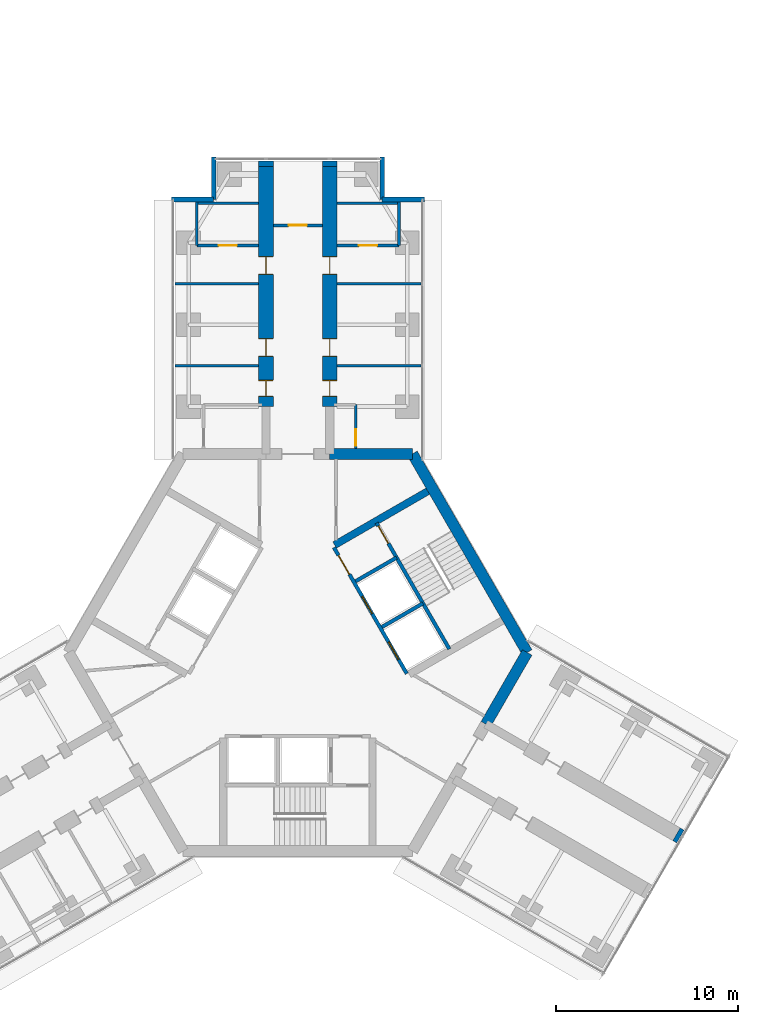
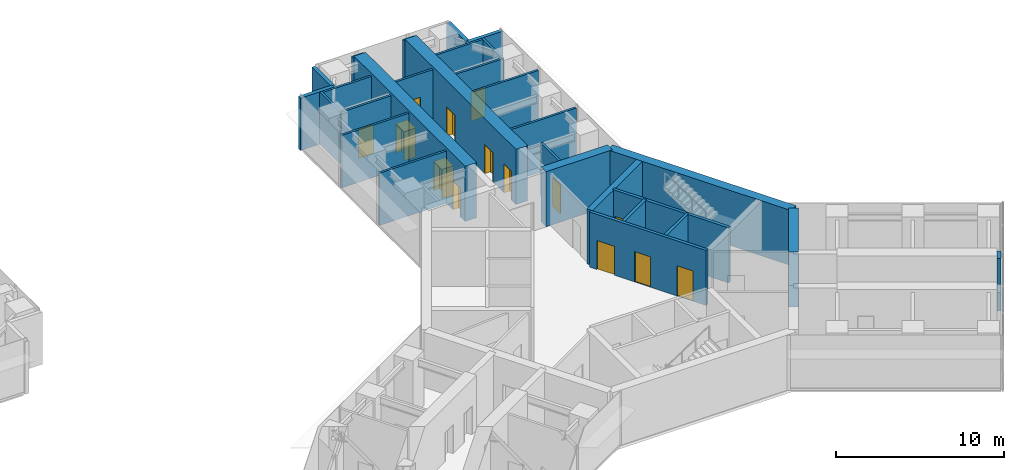
# One storey, part 20 of 22: 29 walls, 14 doors, 14 openings.
"""IFC4 building model written with IfcOpenShell, lengths in metres."""

import ifcopenshell
import ifcopenshell.guid

model = None  # the IFC model being written
_history = None  # IfcOwnerHistory: only IFC2X3 demands one
_inside = {}  # id of a spatial element -> (the spatial element, [elements in it])
_under = {}  # id of a project, library or spatial element -> (it, [spatial elements below it])
_declared = {}  # id of a project -> (the project, [libraries it declares])
_typed = {}  # id of a type object -> (the type object, [elements of that type])
_made_of = {}  # id of a material, layer set ... -> (it, [elements and type objects made of it])


def new_model(schema):
    """Start an empty IFC model of exactly this schema.

    Asked for "IFC4X3", IfcOpenShell would pick the latest addendum, in which some entities
    have other attributes; the version numbers below select the first issue.
    IFC2X3 requires an IfcOwnerHistory on every rooted entity: one is made here for all.
    """
    global model, _history
    if schema == "IFC4X3":
        model = ifcopenshell.file(schema_version=(4, 3, 0, 0))
    else:
        model = ifcopenshell.file(schema=schema)
    _inside.clear()
    _under.clear()
    _declared.clear()
    _typed.clear()
    _made_of.clear()
    _history = None
    if model.schema == "IFC2X3":
        org = make("IfcOrganization", Name="unknown")
        user = make(
            "IfcPersonAndOrganization",
            ThePerson=make("IfcPerson", FamilyName="unknown"),
            TheOrganization=org,
        )
        app = make(
            "IfcApplication",
            ApplicationDeveloper=org,
            Version="unknown",
            ApplicationFullName="unknown",
            ApplicationIdentifier="unknown",
        )
        _history = make(
            "IfcOwnerHistory",
            OwningUser=user,
            OwningApplication=app,
            ChangeAction="ADDED",
            CreationDate=0,
        )
    return model


def make(cls, **values):
    """One entity of the class cls with the attributes given. An attribute that is None is left unset."""
    return model.create_entity(
        cls, **{name: value for name, value in values.items() if value is not None}
    )


def rooted(cls, **values):
    """An entity with a GlobalId (a new one), such as an element, a storey or a relation."""
    return make(cls, GlobalId=ifcopenshell.guid.new(), OwnerHistory=_history, **values)


def si_unit(unit_type, name, prefix=None):
    """IfcSIUnit, for example si_unit("LENGTHUNIT", "METRE", prefix="MILLI")."""
    return make("IfcSIUnit", UnitType=unit_type, Prefix=prefix, Name=name)


def assignment(units):
    """IfcUnitAssignment: the units of a project."""
    return None if units is None else make("IfcUnitAssignment", Units=units)


def point(xyz):
    """IfcCartesianPoint."""
    return None if xyz is None else make("IfcCartesianPoint", Coordinates=xyz)


def direction(xyz):
    """IfcDirection."""
    return None if xyz is None else make("IfcDirection", DirectionRatios=xyz)


def frame(location, z_axis=None, x_axis=None):
    """IfcAxis2Placement3D, a coordinate frame: its origin and axes. An axis left out is left unset."""
    return make(
        "IfcAxis2Placement3D",
        Location=point(location),
        Axis=direction(z_axis),
        RefDirection=direction(x_axis),
    )


def frame_2d(location, x_axis=None):
    """IfcAxis2Placement2D, a coordinate frame in the plane: its origin and x axis."""
    return make(
        "IfcAxis2Placement2D", Location=point(location), RefDirection=direction(x_axis)
    )


def origin():
    """The frame at (0, 0, 0) with its axes left unset."""
    return frame((0.0, 0.0, 0.0))


def place(relative_to, where):
    """IfcLocalPlacement: puts the frame where relative to a parent placement (None: the world)."""
    return make(
        "IfcLocalPlacement", PlacementRelTo=relative_to, RelativePlacement=where
    )


def context(
    kind, dimensions, precision=None, world=None, true_north=None, identifier=None
):
    """IfcGeometricRepresentationContext, for example the 3D "Model" context."""
    return make(
        "IfcGeometricRepresentationContext",
        ContextIdentifier=identifier,
        ContextType=kind,
        CoordinateSpaceDimension=dimensions,
        Precision=precision,
        WorldCoordinateSystem=world,
        TrueNorth=true_north,
    )


def subcontext(parent, identifier, kind, view, scale=None):
    """IfcGeometricRepresentationSubContext, for example "Body" below "Model"."""
    return make(
        "IfcGeometricRepresentationSubContext",
        ContextIdentifier=identifier,
        ContextType=kind,
        ParentContext=parent,
        TargetScale=scale,
        TargetView=view,
    )


def project(units=None, contexts=None):
    """IfcProject with its units and contexts."""
    return rooted(
        "IfcProject",
        Name="project",
        RepresentationContexts=contexts,
        UnitsInContext=assignment(units),
    )


def spatial(cls, under=None, at=None, **own):
    """A site, building, storey or space (cls), placed at a placement, below another one or the project."""
    s = rooted(cls, ObjectPlacement=at, **own)
    if under is not None:
        _under.setdefault(under.id(), (under, []))[1].append(s)
    return s


def profile(cls, at=None, kind="AREA", **sizes):
    """A parametric profile (cls). Its sizes go by their IFC names, for example OverallWidth=200.0."""
    return make(cls, ProfileType=kind, Position=at, **sizes)


def rectangle(**sizes):
    """IfcRectangleProfileDef."""
    return profile("IfcRectangleProfileDef", **sizes)


def extrude(swept, where, along, depth):
    """IfcExtrudedAreaSolid: the profile swept, set in the frame where, extruded along a direction by depth."""
    return make(
        "IfcExtrudedAreaSolid",
        SweptArea=swept,
        Position=where,
        ExtrudedDirection=direction(along),
        Depth=depth,
    )


def shape(context_of_items, identifier, shape_type, items):
    """IfcShapeRepresentation: the items that make up one representation, for example the "Body"."""
    return make(
        "IfcShapeRepresentation",
        ContextOfItems=context_of_items,
        RepresentationIdentifier=identifier,
        RepresentationType=shape_type,
        Items=items,
    )


def material(Name=None, Category=None):
    """IfcMaterial."""
    return make("IfcMaterial", Name=Name, Category=Category)


def layer(
    of_material, thickness, ventilated=None, Name=None, Category=None, Priority=None
):
    """IfcMaterialLayer: one layer of a wall or slab, of a material (None: an air gap)."""
    return make(
        "IfcMaterialLayer",
        Material=of_material,
        LayerThickness=thickness,
        IsVentilated=ventilated,
        Name=Name,
        Category=Category,
        Priority=Priority,
    )


def layer_set(layers, Name=None):
    """IfcMaterialLayerSet."""
    return make("IfcMaterialLayerSet", MaterialLayers=layers, LayerSetName=Name)


def made_of(thing, what):
    """Note that an element or type object is made of a material, layer set ...; save() writes the relation."""
    if what is not None:
        _made_of.setdefault(what.id(), (what, []))[1].append(thing)
    return thing


def type_object(cls, material=None, **own):
    """A type object (cls), such as IfcWallType, which elements share."""
    return made_of(rooted(cls, **own), material)


def element(
    cls,
    number,
    at=None,
    inside=None,
    cuts=None,
    type_object=None,
    material=None,
    context=None,
    identifier="Body",
    shape_type=None,
    held_by="IfcProductDefinitionShape",
    body=None,
    shapes=None,
    **own,
):
    """One element of the class cls, such as IfcWall. Its Tag is "e" and its number.

    at: its placement. inside: the storey or other place that contains it. cuts: it is an
    opening in that element (IfcRelVoidsElement). A single representation is given by context,
    identifier, shape_type and body (its items); several are given by shapes. held_by: the class
    of the entity that holds the representations. save() writes the other relations.
    """
    e = rooted(cls, Tag="e%d" % number, ObjectPlacement=at, **own)
    if body is not None:
        shapes = [shape(context, identifier, shape_type, body)]
    if shapes is not None:
        e.Representation = make(held_by, Representations=shapes)
    if inside is not None:
        _inside.setdefault(inside.id(), (inside, []))[1].append(e)
    if cuts is not None:
        rooted(
            "IfcRelVoidsElement", RelatingBuildingElement=cuts, RelatedOpeningElement=e
        )
    if type_object is not None:
        _typed.setdefault(type_object.id(), (type_object, []))[1].append(e)
    return made_of(e, material)


def fill(opening, filler):
    """IfcRelFillsElement: the door or window that sits in an opening."""
    return rooted(
        "IfcRelFillsElement",
        RelatingOpeningElement=opening,
        RelatedBuildingElement=filler,
    )


def aggregate(whole, parts):
    """IfcRelAggregates: a whole, such as a stair, and the parts it consists of."""
    return rooted("IfcRelAggregates", RelatingObject=whole, RelatedObjects=parts)


def save(model, path):
    """Write the relations noted so far, then the file.

    IfcRelAggregates (storeys below a building ...), IfcRelContainedInSpatialStructure (elements
    in a storey), IfcRelDefinesByType, IfcRelAssociatesMaterial and IfcRelDeclares: one each for
    every whole, place, type object, material and project.
    """
    for whole, parts in _under.values():
        aggregate(whole, parts)
    for where, things in _inside.values():
        rooted(
            "IfcRelContainedInSpatialStructure",
            RelatedElements=things,
            RelatingStructure=where,
        )
    for kind, things in _typed.values():
        rooted("IfcRelDefinesByType", RelatedObjects=things, RelatingType=kind)
    for what, things in _made_of.values():
        rooted("IfcRelAssociatesMaterial", RelatedObjects=things, RelatingMaterial=what)
    for by, libraries in _declared.values():
        rooted("IfcRelDeclares", RelatingContext=by, RelatedDefinitions=libraries)
    model.write(path)


model = new_model("IFC4")

# Units and contexts
model_context = context("Model", 3, precision=1e-05, world=origin(), true_north=direction((0.0, 1.0)))
body_context = subcontext(model_context, "Body", "Model", "MODEL_VIEW")
ifc_project = project(units=[si_unit("LENGTHUNIT", "METRE"), si_unit("AREAUNIT", "SQUARE_METRE"), si_unit("VOLUMEUNIT", "CUBIC_METRE"), si_unit("PLANEANGLEUNIT", "RADIAN"), si_unit("MASSUNIT", "GRAM", prefix="KILO")], contexts=[model_context])

# Site, building, storey
site_placement = place(None, origin())
site = spatial("IfcSite", under=ifc_project, at=site_placement, CompositionType="ELEMENT")
building_placement = place(site_placement, origin())
building = spatial("IfcBuilding", under=site, at=building_placement, Name="Upepo Twin Towers", CompositionType="ELEMENT")
storey_placement = place(building_placement, frame((0.0, 0.0, 133.5)))
storey = spatial("IfcBuildingStorey", under=building, at=storey_placement, Name="L32", CompositionType="ELEMENT", Elevation=133.5)

# Walls
ifc_material_1 = material(Name="Dense concrete blockwork", Category="masonry")
ifc_layer_1 = layer(ifc_material_1, 0.800048828125)
ifc_layer_set_1 = layer_set([ifc_layer_1], Name="Buttress closer 800, blockwork with fire-stopping to the curtain wall")
wall_type_1 = type_object("IfcWallType", Name="Buttress closer 800, blockwork with fire-stopping to the curtain wall", PredefinedType="PARTITIONING", material=ifc_layer_set_1)
for number, where, z_axis, x_axis, name in (
    (1, (56.75, 8.699951171875, 0.0), (0.0, 0.0, 1.0), (0.0, 1.0, 0.0), "T2 L32 wing A buttress closer L"),
    (2, (60.25, 8.699951171875, 0.0), (0.0, 0.0, 1.0), (0.0, 1.0, 0.0), "T2 L32 wing A buttress closer R"),
):
    element("IfcWall", number, at=place(storey_placement, frame(where, z_axis=z_axis, x_axis=x_axis)), inside=storey, type_object=wall_type_1, Name=name, PredefinedType="PARTITIONING", context=body_context, shape_type="SweptSolid", body=[
        extrude(rectangle(XDim=0.300048828125, YDim=0.800048828125, at=frame_2d((0.14990234375, 0.0))), origin(), (0.0, 0.0, 1.0), 3.800048828125),
    ])
wall_1_placement = place(storey_placement, frame((79.293701171875, -27.984375, 0.0), z_axis=(0.0, 0.0, 1.0), x_axis=(0.865827443207, -0.500342721131, 0.0)))
element("IfcWall", 3, at=wall_1_placement, inside=storey, type_object=wall_type_1, Name="T2 L32 wing C buttress closer L", PredefinedType="PARTITIONING", context=body_context, shape_type="SweptSolid", body=[
    extrude(rectangle(XDim=0.249755859375, YDim=0.800048828125, at=frame_2d((0.125, 0.0))), origin(), (0.0, 0.0, 1.0), 3.800048828125),
])

# Wall, openings, doors
ifc_material_2 = material(Name="Concrete C60/75", Category="concrete")
ifc_layer_2 = layer(ifc_material_2, 0.800048828125)
ifc_layer_set_2 = layer_set([ifc_layer_2], Name="Concrete C60/75")
wall_type_2 = type_object("IfcWallType", Name="Buttress wall 800 RC", PredefinedType="SHEAR", material=ifc_layer_set_2)
wall_2_placement = place(storey_placement, frame((56.75, -4.5, 0.0), z_axis=(0.0, 0.0, 1.0), x_axis=(0.0, 1.0, 0.0)))
wall_2 = element("IfcWall", 4, at=wall_2_placement, inside=storey, type_object=wall_type_2, Name="T2 wing A buttress wall L part 2", PredefinedType="SHEAR", context=body_context, shape_type="SweptSolid", body=[
    extrude(rectangle(XDim=13.199951171875, YDim=0.800048828125, at=frame_2d((6.60009765625, 0.0))), origin(), (0.0, 0.0, 1.0), 4.0),
])
opening_1_placement = place(wall_2_placement, frame((0.550048828125, 0.0, 0.0)))
opening_1 = element("IfcOpeningElement", 5, at=opening_1_placement, cuts=wall_2, Name="Opening D11", PredefinedType="OPENING", context=body_context, shape_type="SweptSolid", body=[
    extrude(rectangle(XDim=0.89990234375, YDim=2.10009765625, at=frame_2d((0.449951171875, 1.050048828125))), frame((0.0, 0.409912109375, 0.0), z_axis=(0.0, -1.0, 0.0), x_axis=(1.0, 0.0, 0.0)), (0.0, 0.0, 1.0), 0.820068359375),
])
opening_2_placement = place(wall_2_placement, frame((2.75, 0.0, 0.0)))
opening_2 = element("IfcOpeningElement", 6, at=opening_2_placement, cuts=wall_2, Name="Opening D1", PredefinedType="OPENING", context=body_context, shape_type="SweptSolid", body=[
    extrude(rectangle(XDim=1.0, YDim=2.10009765625, at=frame_2d((0.5, 1.050048828125))), frame((0.0, 0.409912109375, 0.0), z_axis=(0.0, -1.0, 0.0), x_axis=(1.0, 0.0, 0.0)), (0.0, 0.0, 1.0), 0.820068359375),
])
opening_3_placement = place(wall_2_placement, frame((7.25, 0.0, 0.0)))
opening_3 = element("IfcOpeningElement", 7, at=opening_3_placement, cuts=wall_2, Name="Opening D1", PredefinedType="OPENING", context=body_context, shape_type="SweptSolid", body=[
    extrude(rectangle(XDim=1.0, YDim=2.10009765625, at=frame_2d((0.5, 1.050048828125))), frame((0.0, 0.409912109375, 0.0), z_axis=(0.0, -1.0, 0.0), x_axis=(1.0, 0.0, 0.0)), (0.0, 0.0, 1.0), 0.820068359375),
])
ifc_material_3 = material(Name="Timber doorset", Category="wood")
door_type_1 = type_object("IfcDoorType", Name="Room door 1000 FD30", OperationType="SINGLE_SWING_LEFT", PredefinedType="DOOR", material=ifc_material_3)
door_1_placement = place(opening_2_placement, origin())
door_1 = element("IfcDoor", 8, at=door_1_placement, inside=storey, type_object=door_type_1, Name="T2 L32 tutorial room door", OperationType="SINGLE_SWING_LEFT", OverallHeight=2.10009765625, OverallWidth=1.0, PredefinedType="DOOR", context=body_context, shape_type="SweptSolid", body=[
    extrude(rectangle(XDim=0.92, YDim=2.06009765625, at=frame_2d((0.5, 1.030029296875))), frame((0.0, 0.02490234375, 0.0), z_axis=(0.0, -1.0, 0.0), x_axis=(1.0, 0.0, 0.0)), (0.0, 0.0, 1.0), 0.050048828125),
    extrude(rectangle(XDim=0.04, YDim=2.10009765625, at=frame_2d((0.02001953125, 1.050048828125))), frame((0.0, 0.39990234375, 0.0), z_axis=(0.0, -1.0, 0.0), x_axis=(1.0, 0.0, 0.0)), (0.0, 0.0, 1.0), 0.799560546875),
    extrude(rectangle(XDim=0.04, YDim=2.10009765625, at=frame_2d((0.97998046875, 1.050048828125))), frame((0.0, 0.39990234375, 0.0), z_axis=(0.0, -1.0, 0.0), x_axis=(1.0, 0.0, 0.0)), (0.0, 0.0, 1.0), 0.799560546875),
    extrude(rectangle(XDim=0.92, YDim=0.04, at=frame_2d((0.5, 2.080078125))), frame((0.0, 0.39990234375, 0.0), z_axis=(0.0, -1.0, 0.0), x_axis=(1.0, 0.0, 0.0)), (0.0, 0.0, 1.0), 0.799560546875),
])
fill(opening_2, door_1)
door_2_placement = place(opening_3_placement, origin())
door_2 = element("IfcDoor", 9, at=door_2_placement, inside=storey, type_object=door_type_1, Name="T2 L32 staff office door", OperationType="SINGLE_SWING_RIGHT", OverallHeight=2.10009765625, OverallWidth=1.0, PredefinedType="DOOR", context=body_context, shape_type="SweptSolid", body=[
    extrude(rectangle(XDim=0.92, YDim=2.06009765625, at=frame_2d((0.5, 1.030029296875))), frame((0.0, 0.02490234375, 0.0), z_axis=(0.0, -1.0, 0.0), x_axis=(1.0, 0.0, 0.0)), (0.0, 0.0, 1.0), 0.050048828125),
    extrude(rectangle(XDim=0.04, YDim=2.10009765625, at=frame_2d((0.02001953125, 1.050048828125))), frame((0.0, 0.39990234375, 0.0), z_axis=(0.0, -1.0, 0.0), x_axis=(1.0, 0.0, 0.0)), (0.0, 0.0, 1.0), 0.799560546875),
    extrude(rectangle(XDim=0.04, YDim=2.10009765625, at=frame_2d((0.97998046875, 1.050048828125))), frame((0.0, 0.39990234375, 0.0), z_axis=(0.0, -1.0, 0.0), x_axis=(1.0, 0.0, 0.0)), (0.0, 0.0, 1.0), 0.799560546875),
    extrude(rectangle(XDim=0.92, YDim=0.04, at=frame_2d((0.5, 2.080078125))), frame((0.0, 0.39990234375, 0.0), z_axis=(0.0, -1.0, 0.0), x_axis=(1.0, 0.0, 0.0)), (0.0, 0.0, 1.0), 0.799560546875),
])
fill(opening_3, door_2)
ifc_material_4 = material(Name="Timber doorset", Category="wood")
door_type_2 = type_object("IfcDoorType", Name="Toilet door 900", OperationType="SINGLE_SWING_LEFT", PredefinedType="DOOR", material=ifc_material_4)
door_3_placement = place(opening_1_placement, origin())
door_3 = element("IfcDoor", 10, at=door_3_placement, inside=storey, type_object=door_type_2, Name="T2 L32 accessible wc door", OperationType="SINGLE_SWING_LEFT", OverallHeight=2.10009765625, OverallWidth=0.89990234375, PredefinedType="DOOR", context=body_context, shape_type="SweptSolid", body=[
    extrude(rectangle(XDim=0.81990234375, YDim=2.06009765625, at=frame_2d((0.449951171875, 1.030029296875))), frame((0.0, 0.02490234375, 0.0), z_axis=(0.0, -1.0, 0.0), x_axis=(1.0, 0.0, 0.0)), (0.0, 0.0, 1.0), 0.050048828125),
    extrude(rectangle(XDim=0.04, YDim=2.10009765625, at=frame_2d((0.02001953125, 1.050048828125))), frame((0.0, 0.39990234375, 0.0), z_axis=(0.0, -1.0, 0.0), x_axis=(1.0, 0.0, 0.0)), (0.0, 0.0, 1.0), 0.799560546875),
    extrude(rectangle(XDim=0.04, YDim=2.10009765625, at=frame_2d((0.8798828125, 1.050048828125))), frame((0.0, 0.39990234375, 0.0), z_axis=(0.0, -1.0, 0.0), x_axis=(1.0, 0.0, 0.0)), (0.0, 0.0, 1.0), 0.799560546875),
    extrude(rectangle(XDim=0.81990234375, YDim=0.04, at=frame_2d((0.449951171875, 2.080078125))), frame((0.0, 0.39990234375, 0.0), z_axis=(0.0, -1.0, 0.0), x_axis=(1.0, 0.0, 0.0)), (0.0, 0.0, 1.0), 0.799560546875),
])
fill(opening_1, door_3)

wall_3_placement = place(storey_placement, frame((60.25, -4.5, 0.0), z_axis=(0.0, 0.0, 1.0), x_axis=(0.0, 1.0, 0.0)))
wall_3 = element("IfcWall", 11, at=wall_3_placement, inside=storey, type_object=wall_type_2, Name="T2 wing A buttress wall R part 2", PredefinedType="SHEAR", context=body_context, shape_type="SweptSolid", body=[
    extrude(rectangle(XDim=13.199951171875, YDim=0.800048828125, at=frame_2d((6.60009765625, 0.0))), origin(), (0.0, 0.0, 1.0), 4.0),
])
opening_4_placement = place(wall_3_placement, frame((0.550048828125, 0.0, 0.0)))
opening_4 = element("IfcOpeningElement", 12, at=opening_4_placement, cuts=wall_3, Name="Opening D11", PredefinedType="OPENING", context=body_context, shape_type="SweptSolid", body=[
    extrude(rectangle(XDim=0.89990234375, YDim=2.10009765625, at=frame_2d((0.449951171875, 1.050048828125))), frame((0.0, 0.409912109375, 0.0), z_axis=(0.0, -1.0, 0.0), x_axis=(1.0, 0.0, 0.0)), (0.0, 0.0, 1.0), 0.820068359375),
])
opening_5_placement = place(wall_3_placement, frame((2.75, 0.0, 0.0)))
opening_5 = element("IfcOpeningElement", 13, at=opening_5_placement, cuts=wall_3, Name="Opening D1", PredefinedType="OPENING", context=body_context, shape_type="SweptSolid", body=[
    extrude(rectangle(XDim=1.0, YDim=2.10009765625, at=frame_2d((0.5, 1.050048828125))), frame((0.0, 0.409912109375, 0.0), z_axis=(0.0, -1.0, 0.0), x_axis=(1.0, 0.0, 0.0)), (0.0, 0.0, 1.0), 0.820068359375),
])
opening_6_placement = place(wall_3_placement, frame((7.25, 0.0, 0.0)))
opening_6 = element("IfcOpeningElement", 14, at=opening_6_placement, cuts=wall_3, Name="Opening D1", PredefinedType="OPENING", context=body_context, shape_type="SweptSolid", body=[
    extrude(rectangle(XDim=1.0, YDim=2.10009765625, at=frame_2d((0.5, 1.050048828125))), frame((0.0, 0.409912109375, 0.0), z_axis=(0.0, -1.0, 0.0), x_axis=(1.0, 0.0, 0.0)), (0.0, 0.0, 1.0), 0.820068359375),
])
door_4_placement = place(opening_5_placement, origin())
door_4 = element("IfcDoor", 15, at=door_4_placement, inside=storey, type_object=door_type_1, Name="T2 L32 seminar room door", OperationType="SINGLE_SWING_LEFT", OverallHeight=2.10009765625, OverallWidth=1.0, PredefinedType="DOOR", context=body_context, shape_type="SweptSolid", body=[
    extrude(rectangle(XDim=0.92, YDim=2.06009765625, at=frame_2d((0.5, 1.030029296875))), frame((0.0, 0.02490234375, 0.0), z_axis=(0.0, -1.0, 0.0), x_axis=(1.0, 0.0, 0.0)), (0.0, 0.0, 1.0), 0.050048828125),
    extrude(rectangle(XDim=0.04, YDim=2.10009765625, at=frame_2d((0.02001953125, 1.050048828125))), frame((0.0, 0.39990234375, 0.0), z_axis=(0.0, -1.0, 0.0), x_axis=(1.0, 0.0, 0.0)), (0.0, 0.0, 1.0), 0.799560546875),
    extrude(rectangle(XDim=0.04, YDim=2.10009765625, at=frame_2d((0.97998046875, 1.050048828125))), frame((0.0, 0.39990234375, 0.0), z_axis=(0.0, -1.0, 0.0), x_axis=(1.0, 0.0, 0.0)), (0.0, 0.0, 1.0), 0.799560546875),
    extrude(rectangle(XDim=0.92, YDim=0.04, at=frame_2d((0.5, 2.080078125))), frame((0.0, 0.39990234375, 0.0), z_axis=(0.0, -1.0, 0.0), x_axis=(1.0, 0.0, 0.0)), (0.0, 0.0, 1.0), 0.799560546875),
])
fill(opening_5, door_4)
door_5_placement = place(opening_6_placement, origin())
door_5 = element("IfcDoor", 16, at=door_5_placement, inside=storey, type_object=door_type_1, Name="T2 L32 tutorial room door", OperationType="SINGLE_SWING_RIGHT", OverallHeight=2.10009765625, OverallWidth=1.0, PredefinedType="DOOR", context=body_context, shape_type="SweptSolid", body=[
    extrude(rectangle(XDim=0.92, YDim=2.06009765625, at=frame_2d((0.5, 1.030029296875))), frame((0.0, 0.02490234375, 0.0), z_axis=(0.0, -1.0, 0.0), x_axis=(1.0, 0.0, 0.0)), (0.0, 0.0, 1.0), 0.050048828125),
    extrude(rectangle(XDim=0.04, YDim=2.10009765625, at=frame_2d((0.02001953125, 1.050048828125))), frame((0.0, 0.39990234375, 0.0), z_axis=(0.0, -1.0, 0.0), x_axis=(1.0, 0.0, 0.0)), (0.0, 0.0, 1.0), 0.799560546875),
    extrude(rectangle(XDim=0.04, YDim=2.10009765625, at=frame_2d((0.97998046875, 1.050048828125))), frame((0.0, 0.39990234375, 0.0), z_axis=(0.0, -1.0, 0.0), x_axis=(1.0, 0.0, 0.0)), (0.0, 0.0, 1.0), 0.799560546875),
    extrude(rectangle(XDim=0.92, YDim=0.04, at=frame_2d((0.5, 2.080078125))), frame((0.0, 0.39990234375, 0.0), z_axis=(0.0, -1.0, 0.0), x_axis=(1.0, 0.0, 0.0)), (0.0, 0.0, 1.0), 0.799560546875),
])
fill(opening_6, door_5)
door_6_placement = place(opening_4_placement, origin())
door_6 = element("IfcDoor", 17, at=door_6_placement, inside=storey, type_object=door_type_2, Name="T2 L32 toilets door", OperationType="SINGLE_SWING_LEFT", OverallHeight=2.10009765625, OverallWidth=0.89990234375, PredefinedType="DOOR", context=body_context, shape_type="SweptSolid", body=[
    extrude(rectangle(XDim=0.81990234375, YDim=2.06009765625, at=frame_2d((0.449951171875, 1.030029296875))), frame((0.0, 0.02490234375, 0.0), z_axis=(0.0, -1.0, 0.0), x_axis=(1.0, 0.0, 0.0)), (0.0, 0.0, 1.0), 0.050048828125),
    extrude(rectangle(XDim=0.04, YDim=2.10009765625, at=frame_2d((0.02001953125, 1.050048828125))), frame((0.0, 0.39990234375, 0.0), z_axis=(0.0, -1.0, 0.0), x_axis=(1.0, 0.0, 0.0)), (0.0, 0.0, 1.0), 0.799560546875),
    extrude(rectangle(XDim=0.04, YDim=2.10009765625, at=frame_2d((0.8798828125, 1.050048828125))), frame((0.0, 0.39990234375, 0.0), z_axis=(0.0, -1.0, 0.0), x_axis=(1.0, 0.0, 0.0)), (0.0, 0.0, 1.0), 0.799560546875),
    extrude(rectangle(XDim=0.81990234375, YDim=0.04, at=frame_2d((0.449951171875, 2.080078125))), frame((0.0, 0.39990234375, 0.0), z_axis=(0.0, -1.0, 0.0), x_axis=(1.0, 0.0, 0.0)), (0.0, 0.0, 1.0), 0.799560546875),
])
fill(opening_4, door_6)

# Walls
ifc_material_5 = material(Name="Concrete C60/75", Category="concrete")
ifc_layer_3 = layer(ifc_material_5, 0.60009765625)
ifc_layer_set_3 = layer_set([ifc_layer_3], Name="Concrete C60/75")
wall_type_3 = type_object("IfcWallType", Name="Core wall 600 RC", PredefinedType="SHEAR", material=ifc_layer_set_3)
wall_4_placement = place(storey_placement, frame((64.7978515625, -7.091552734375, 0.0), z_axis=(0.0, 0.0, 1.0), x_axis=(-1.0, 0.0, 0.0)))
element("IfcWall", 18, at=wall_4_placement, inside=storey, type_object=wall_type_3, Name="T2 core wall 000 R", PredefinedType="SHEAR", context=body_context, shape_type="SweptSolid", body=[
    extrude(rectangle(XDim=4.5478515625, YDim=0.60009765625, at=frame_2d((2.27392578125, 0.0))), origin(), (0.0, 0.0, 1.0), 4.0),
])
wall_5_placement = place(storey_placement, frame((68.82177734375, -21.938720703125, 0.0), z_axis=(0.0, 0.0, 1.0), x_axis=(0.500024481964, 0.866011268655, 0.0)))
element("IfcWall", 19, at=wall_5_placement, inside=storey, type_object=wall_type_3, Name="T2 core wall 240 L", PredefinedType="SHEAR", context=body_context, shape_type="SweptSolid", body=[
    extrude(rectangle(XDim=4.548095703125, YDim=0.60009765625, at=frame_2d((2.27392578125, 0.0))), origin(), (0.0, 0.0, 1.0), 4.0),
])
wall_6_placement = place(storey_placement, frame((71.095947265625, -18.0, 0.0), z_axis=(0.0, 0.0, 1.0), x_axis=(-0.500005998175, 0.866021940709, 0.0)))
element("IfcWall", 20, at=wall_6_placement, inside=storey, type_object=wall_type_3, Name="T2 core wall 300", PredefinedType="SHEAR", context=body_context, shape_type="SweptSolid", body=[
    extrude(rectangle(XDim=12.595947265625, YDim=0.60009765625, at=frame_2d((6.2978515625, 0.0))), origin(), (0.0, 0.0, 1.0), 4.0),
])
ifc_material_6 = material(Name="Blockwork with anodised aluminium cladding", Category="masonry")
ifc_layer_4 = layer(ifc_material_6, 0.25)
ifc_layer_set_4 = layer_set([ifc_layer_4], Name="Notch cladding wall 250, pale metal")
wall_type_4 = type_object("IfcWallType", Name="Notch cladding wall 250, pale metal", PredefinedType="STANDARD", material=ifc_layer_set_4)
for number, where, z_axis, x_axis, name in (
    (21, (51.550048828125, 6.875, 0.0), (0.0, 0.0, 1.0), (1.0, 0.0, 0.0), "T2 L32 wing A notch wall L1"),
    (22, (53.875, 6.875, 0.0), (0.0, 0.0, 1.0), (0.0, 1.0, 0.0), "T2 L32 wing A notch wall L2"),
    (23, (65.449951171875, 6.875, 0.0), (0.0, 0.0, 1.0), (-1.0, 0.0, 0.0), "T2 L32 wing A notch wall R1"),
    (24, (63.125, 6.875, 0.0), (0.0, 0.0, 1.0), (0.0, 1.0, 0.0), "T2 L32 wing A notch wall R2"),
):
    element("IfcWall", number, at=place(storey_placement, frame(where, z_axis=z_axis, x_axis=x_axis)), inside=storey, type_object=wall_type_4, Name=name, PredefinedType="STANDARD", context=body_context, shape_type="SweptSolid", body=[
        extrude(rectangle(XDim=2.324951171875, YDim=0.25, at=frame_2d((1.16259765625, 0.0))), origin(), (0.0, 0.0, 1.0), 3.800048828125),
    ])

# Wall, openings, doors
ifc_material_7 = material(Name="Concrete C40/50", Category="concrete")
ifc_layer_5 = layer(ifc_material_7, 0.199951171875)
ifc_layer_set_5 = layer_set([ifc_layer_5], Name="Concrete C40/50")
wall_type_5 = type_object("IfcWallType", Name="Shaft wall 200 RC", PredefinedType="SHEAR", material=ifc_layer_set_5)
wall_7_placement = place(storey_placement, frame((64.483642578125, -19.1640625, 0.0), z_axis=(0.0, 0.0, 1.0), x_axis=(-0.49999894854, 0.866026010844, 0.0)))
wall_7 = element("IfcWall", 25, at=wall_7_placement, inside=storey, type_object=wall_type_5, Name="T2 core W300 front wall", PredefinedType="SHEAR", context=body_context, shape_type="SweptSolid", body=[
    extrude(rectangle(XDim=8.0, YDim=0.199951171875, at=frame_2d((4.0, 0.0))), origin(), (0.0, 0.0, 1.0), 4.0),
])
opening_7_placement = place(wall_7_placement, frame((6.300048828125, 0.0, 0.0)))
opening_7 = element("IfcOpeningElement", 26, at=opening_7_placement, cuts=wall_7, Name="Opening D4", PredefinedType="OPENING", context=body_context, shape_type="SweptSolid", body=[
    extrude(rectangle(XDim=1.199951171875, YDim=2.10009765625, at=frame_2d((0.60009765625, 1.050048828125))), frame((0.0, 0.10986328125, 0.0), z_axis=(0.0, -1.0, 0.0), x_axis=(1.0, 0.0, 0.0)), (0.0, 0.0, 1.0), 0.219970703125),
])
opening_8_placement = place(wall_7_placement, frame((0.89990234375, 0.0, 0.0)))
opening_8 = element("IfcOpeningElement", 27, at=opening_8_placement, cuts=wall_7, Name="Opening LD1", PredefinedType="OPENING", context=body_context, shape_type="SweptSolid", body=[
    extrude(rectangle(XDim=1.10009765625, YDim=2.199951171875, at=frame_2d((0.550048828125, 1.10009765625))), frame((0.0, 0.10986328125, 0.0), z_axis=(0.0, -1.0, 0.0), x_axis=(1.0, 0.0, 0.0)), (0.0, 0.0, 1.0), 0.219970703125),
])
opening_9_placement = place(wall_7_placement, frame((3.800048828125, 0.0, 0.0)))
opening_9 = element("IfcOpeningElement", 28, at=opening_9_placement, cuts=wall_7, Name="Opening LD1", PredefinedType="OPENING", context=body_context, shape_type="SweptSolid", body=[
    extrude(rectangle(XDim=1.10009765625, YDim=2.199951171875, at=frame_2d((0.550048828125, 1.10009765625))), frame((0.0, 0.10986328125, 0.0), z_axis=(0.0, -1.0, 0.0), x_axis=(1.0, 0.0, 0.0)), (0.0, 0.0, 1.0), 0.219970703125),
])
ifc_material_8 = material(Name="Steel doorset", Category="steel")
door_type_3 = type_object("IfcDoorType", Name="Lift landing door 1100", OperationType="DOUBLE_DOOR_SLIDING", PredefinedType="DOOR", material=ifc_material_8)
door_7_placement = place(opening_8_placement, origin())
door_7 = element("IfcDoor", 29, at=door_7_placement, inside=storey, type_object=door_type_3, Name="T2 L32 lift ML1 landing door", OperationType="DOUBLE_DOOR_SLIDING", OverallHeight=2.199951171875, OverallWidth=1.10009765625, PredefinedType="DOOR", context=body_context, shape_type="SweptSolid", body=[
    extrude(rectangle(XDim=1.10009765625, YDim=2.199951171875, at=frame_2d((0.550048828125, 1.10009765625))), frame((0.0, 0.02490234375, 0.0), z_axis=(0.0, -1.0, 0.0), x_axis=(1.0, 0.0, 0.0)), (0.0, 0.0, 1.0), 0.050048828125),
])
fill(opening_8, door_7)
door_8_placement = place(opening_9_placement, origin())
door_8 = element("IfcDoor", 30, at=door_8_placement, inside=storey, type_object=door_type_3, Name="T2 L32 lift ML2 landing door", OperationType="DOUBLE_DOOR_SLIDING", OverallHeight=2.199951171875, OverallWidth=1.10009765625, PredefinedType="DOOR", context=body_context, shape_type="SweptSolid", body=[
    extrude(rectangle(XDim=1.10009765625, YDim=2.199951171875, at=frame_2d((0.550048828125, 1.10009765625))), frame((0.0, 0.02490234375, 0.0), z_axis=(0.0, -1.0, 0.0), x_axis=(1.0, 0.0, 0.0)), (0.0, 0.0, 1.0), 0.050048828125),
])
fill(opening_9, door_8)
ifc_material_9 = material(Name="Timber doorset", Category="wood")
door_type_4 = type_object("IfcDoorType", Name="Lobby door 1200 FD60", OperationType="SINGLE_SWING_LEFT", PredefinedType="DOOR", material=ifc_material_9)
door_9_placement = place(opening_7_placement, origin())
door_9 = element("IfcDoor", 31, at=door_9_placement, inside=storey, type_object=door_type_4, Name="T2 L32 W300 lobby door", OperationType="SINGLE_SWING_RIGHT", OverallHeight=2.10009765625, OverallWidth=1.199951171875, PredefinedType="DOOR", context=body_context, shape_type="SweptSolid", body=[
    extrude(rectangle(XDim=1.199951171875, YDim=2.10009765625, at=frame_2d((0.60009765625, 1.050048828125))), frame((0.0, 0.02490234375, 0.0), z_axis=(0.0, -1.0, 0.0), x_axis=(1.0, 0.0, 0.0)), (0.0, 0.0, 1.0), 0.050048828125),
])
fill(opening_7, door_9)

# Walls
wall_8_placement = place(storey_placement, frame((63.120361328125, -16.6025390625, 0.0), z_axis=(0.0, 0.0, 1.0), x_axis=(0.866062058628, 0.499936506574, 0.0)))
element("IfcWall", 32, at=wall_8_placement, inside=storey, type_object=wall_type_5, Name="T2 core W300 shaft divider", PredefinedType="SHEAR", context=body_context, shape_type="SweptSolid", body=[
    extrude(rectangle(XDim=2.599853515625, YDim=0.199951171875, at=frame_2d((1.2998046875, 0.0))), origin(), (0.0, 0.0, 1.0), 4.0),
])
wall_9_placement = place(storey_placement, frame((61.67041015625, -14.091064453125, 0.0), z_axis=(0.0, 0.0, 1.0), x_axis=(0.86603858612, 0.49997716683, 0.0)))
element("IfcWall", 33, at=wall_9_placement, inside=storey, type_object=wall_type_5, Name="T2 core W300 lobby wall", PredefinedType="SHEAR", context=body_context, shape_type="SweptSolid", body=[
    extrude(rectangle(XDim=2.599609375, YDim=0.199951171875, at=frame_2d((1.2998046875, 0.0))), origin(), (0.0, 0.0, 1.0), 4.0),
])

# Wall, opening, door
wall_10_placement = place(storey_placement, frame((66.822021484375, -17.814208984375, 0.0), z_axis=(0.0, 0.0, 1.0), x_axis=(-0.49999894854, 0.866026010844, 0.0)))
wall_10 = element("IfcWall", 34, at=wall_10_placement, inside=storey, type_object=wall_type_5, Name="T2 core W300 stair wall", PredefinedType="SHEAR", context=body_context, shape_type="SweptSolid", body=[
    extrude(rectangle(XDim=8.0, YDim=0.199951171875, at=frame_2d((4.0, 0.0))), origin(), (0.0, 0.0, 1.0), 4.0),
])
opening_10_placement = place(wall_10_placement, frame((6.699951171875, 0.0, 0.0)))
opening_10 = element("IfcOpeningElement", 35, at=opening_10_placement, cuts=wall_10, Name="Opening D3", PredefinedType="OPENING", context=body_context, shape_type="SweptSolid", body=[
    extrude(rectangle(XDim=1.10009765625, YDim=2.10009765625, at=frame_2d((0.550048828125, 1.050048828125))), frame((0.0, 0.10986328125, 0.0), z_axis=(0.0, -1.0, 0.0), x_axis=(1.0, 0.0, 0.0)), (0.0, 0.0, 1.0), 0.219970703125),
])
ifc_material_10 = material(Name="Timber doorset", Category="wood")
door_type_5 = type_object("IfcDoorType", Name="Stair door 1100 FD60", OperationType="SINGLE_SWING_LEFT", PredefinedType="DOOR", material=ifc_material_10)
door_10_placement = place(opening_10_placement, origin())
door_10 = element("IfcDoor", 36, at=door_10_placement, inside=storey, type_object=door_type_5, Name="T2 L32 stair door", OperationType="SINGLE_SWING_RIGHT", OverallHeight=2.10009765625, OverallWidth=1.10009765625, PredefinedType="DOOR", context=body_context, shape_type="SweptSolid", body=[
    extrude(rectangle(XDim=1.10009765625, YDim=2.10009765625, at=frame_2d((0.550048828125, 1.050048828125))), frame((0.0, 0.02490234375, 0.0), z_axis=(0.0, -1.0, 0.0), x_axis=(1.0, 0.0, 0.0)), (0.0, 0.0, 1.0), 0.050048828125),
])
fill(opening_10, door_10)

# Walls
ifc_material_11 = material(Name="Concrete C40/50", Category="concrete")
ifc_layer_6 = layer(ifc_material_11, 0.39990234375)
ifc_layer_set_6 = layer_set([ifc_layer_6], Name="Concrete C40/50")
wall_type_6 = type_object("IfcWallType", Name="Shaft wall 400 RC", PredefinedType="SHEAR", material=ifc_layer_set_6)
wall_11_placement = place(storey_placement, frame((60.520263671875, -12.099365234375, 0.0), z_axis=(0.0, 0.0, 1.0), x_axis=(0.866009424208, 0.500027676417, 0.0)))
element("IfcWall", 37, at=wall_11_placement, inside=storey, type_object=wall_type_6, Name="T2 core W300 side wall N", PredefinedType="SHEAR", context=body_context, shape_type="SweptSolid", body=[
    extrude(rectangle(XDim=5.908447265625, YDim=0.39990234375, at=frame_2d((2.9541015625, 0.0))), origin(), (0.0, 0.0, 1.0), 4.0),
])
ifc_material_12 = material(Name="Gypsum board on steel studs", Category="steel")
ifc_layer_7 = layer(ifc_material_12, 0.14990234375)
ifc_layer_set_7 = layer_set([ifc_layer_7], Name="Teaching partition 150 acoustic")
wall_type_7 = type_object("IfcWallType", Name="Teaching partition 150 acoustic", PredefinedType="PARTITIONING", material=ifc_layer_set_7)
for number, where, z_axis, x_axis, name in (
    (38, (56.35009765625, -2.25, 0.0), (0.0, 0.0, 1.0), (-1.0, 0.0, 0.0), "T2 partition AL at 15.75"),
    (39, (56.35009765625, 2.25, 0.0), (0.0, 0.0, 1.0), (-1.0, 0.0, 0.0), "T2 partition AL at 20.25"),
):
    element("IfcWall", number, at=place(storey_placement, frame(where, z_axis=z_axis, x_axis=x_axis)), inside=storey, type_object=wall_type_7, Name=name, PredefinedType="PARTITIONING", context=body_context, shape_type="SweptSolid", body=[
        extrude(rectangle(XDim=4.60009765625, YDim=0.14990234375, at=frame_2d((2.300048828125, 0.0))), origin(), (0.0, 0.0, 1.0), 3.800048828125),
    ])
wall_12_placement = place(storey_placement, frame((52.949951171875, 4.35009765625, 0.0), z_axis=(0.0, 0.0, 1.0), x_axis=(0.0, 1.0, 0.0)))
element("IfcWall", 40, at=wall_12_placement, inside=storey, type_object=wall_type_7, Name="T2 inner room partition AL at 22.35", PredefinedType="PARTITIONING", context=body_context, shape_type="SweptSolid", body=[
    extrude(rectangle(XDim=2.39990234375, YDim=0.14990234375, at=frame_2d((1.199951171875, 0.0))), origin(), (0.0, 0.0, 1.0), 3.800048828125),
])

# Wall, opening, door
wall_13_placement = place(storey_placement, frame((56.35009765625, 4.35009765625, 0.0), z_axis=(0.0, 0.0, 1.0), x_axis=(-1.0, 0.0, 0.0)))
wall_13 = element("IfcWall", 41, at=wall_13_placement, inside=storey, type_object=wall_type_7, Name="T2 inner room partition AL end at 22.35", PredefinedType="PARTITIONING", context=body_context, shape_type="SweptSolid", body=[
    extrude(rectangle(XDim=3.400146484375, YDim=0.14990234375, at=frame_2d((1.7001953125, 0.0))), origin(), (0.0, 0.0, 1.0), 3.800048828125),
])
opening_11_placement = place(wall_13_placement, frame((1.199951171875, 0.0, 0.0)))
opening_11 = element("IfcOpeningElement", 42, at=opening_11_placement, cuts=wall_13, Name="Opening D1", PredefinedType="OPENING", context=body_context, shape_type="SweptSolid", body=[
    extrude(rectangle(XDim=1.0, YDim=2.10009765625, at=frame_2d((0.5, 1.050048828125))), frame((0.0, 0.0849609375, 0.0), z_axis=(0.0, -1.0, 0.0), x_axis=(1.0, 0.0, 0.0)), (0.0, 0.0, 1.0), 0.169921875),
])
door_11_placement = place(opening_11_placement, origin())
door_11 = element("IfcDoor", 43, at=door_11_placement, inside=storey, type_object=door_type_1, Name="T2 L32 inner room door", OperationType="SINGLE_SWING_LEFT", OverallHeight=2.10009765625, OverallWidth=1.0, PredefinedType="DOOR", context=body_context, shape_type="SweptSolid", body=[
    extrude(rectangle(XDim=1.0, YDim=2.10009765625, at=frame_2d((0.5, 1.050048828125))), frame((0.0, 0.02490234375, 0.0), z_axis=(0.0, -1.0, 0.0), x_axis=(1.0, 0.0, 0.0)), (0.0, 0.0, 1.0), 0.050048828125),
])
fill(opening_11, door_11)

# Walls
wall_14_placement = place(storey_placement, frame((56.35009765625, 6.675048828125, 0.0), z_axis=(0.0, 0.0, 1.0), x_axis=(-1.0, 0.0, 0.0)))
element("IfcWall", 44, at=wall_14_placement, inside=storey, type_object=wall_type_7, Name="T2 inner room partition AL end at 24.75", PredefinedType="PARTITIONING", context=body_context, shape_type="SweptSolid", body=[
    extrude(rectangle(XDim=3.400146484375, YDim=0.14990234375, at=frame_2d((1.7001953125, 0.0))), origin(), (0.0, 0.0, 1.0), 3.800048828125),
])
for number, where, z_axis, x_axis, name in (
    (45, (60.64990234375, -2.25, 0.0), (0.0, 0.0, 1.0), (1.0, 0.0, 0.0), "T2 partition AR at 15.75"),
    (46, (60.64990234375, 2.25, 0.0), (0.0, 0.0, 1.0), (1.0, 0.0, 0.0), "T2 partition AR at 20.25"),
):
    element("IfcWall", number, at=place(storey_placement, frame(where, z_axis=z_axis, x_axis=x_axis)), inside=storey, type_object=wall_type_7, Name=name, PredefinedType="PARTITIONING", context=body_context, shape_type="SweptSolid", body=[
        extrude(rectangle(XDim=4.60009765625, YDim=0.14990234375, at=frame_2d((2.300048828125, 0.0))), origin(), (0.0, 0.0, 1.0), 3.800048828125),
    ])
wall_15_placement = place(storey_placement, frame((64.050048828125, 4.35009765625, 0.0), z_axis=(0.0, 0.0, 1.0), x_axis=(0.0, 1.0, 0.0)))
element("IfcWall", 47, at=wall_15_placement, inside=storey, type_object=wall_type_7, Name="T2 inner room partition AR at 22.35", PredefinedType="PARTITIONING", context=body_context, shape_type="SweptSolid", body=[
    extrude(rectangle(XDim=2.39990234375, YDim=0.14990234375, at=frame_2d((1.199951171875, 0.0))), origin(), (0.0, 0.0, 1.0), 3.800048828125),
])

# Wall, opening, door
wall_16_placement = place(storey_placement, frame((60.64990234375, 4.35009765625, 0.0), z_axis=(0.0, 0.0, 1.0), x_axis=(1.0, 0.0, 0.0)))
wall_16 = element("IfcWall", 48, at=wall_16_placement, inside=storey, type_object=wall_type_7, Name="T2 inner room partition AR end at 22.35", PredefinedType="PARTITIONING", context=body_context, shape_type="SweptSolid", body=[
    extrude(rectangle(XDim=3.400146484375, YDim=0.14990234375, at=frame_2d((1.7001953125, 0.0))), origin(), (0.0, 0.0, 1.0), 3.800048828125),
])
opening_12_placement = place(wall_16_placement, frame((1.199951171875, 0.0, 0.0)))
opening_12 = element("IfcOpeningElement", 49, at=opening_12_placement, cuts=wall_16, Name="Opening D1", PredefinedType="OPENING", context=body_context, shape_type="SweptSolid", body=[
    extrude(rectangle(XDim=1.0, YDim=2.10009765625, at=frame_2d((0.5, 1.050048828125))), frame((0.0, 0.0849609375, 0.0), z_axis=(0.0, -1.0, 0.0), x_axis=(1.0, 0.0, 0.0)), (0.0, 0.0, 1.0), 0.169921875),
])
door_12_placement = place(opening_12_placement, origin())
door_12 = element("IfcDoor", 50, at=door_12_placement, inside=storey, type_object=door_type_1, Name="T2 L32 inner room door", OperationType="SINGLE_SWING_LEFT", OverallHeight=2.10009765625, OverallWidth=1.0, PredefinedType="DOOR", context=body_context, shape_type="SweptSolid", body=[
    extrude(rectangle(XDim=1.0, YDim=2.10009765625, at=frame_2d((0.5, 1.050048828125))), frame((0.0, 0.02490234375, 0.0), z_axis=(0.0, -1.0, 0.0), x_axis=(1.0, 0.0, 0.0)), (0.0, 0.0, 1.0), 0.050048828125),
])
fill(opening_12, door_12)

# Wall
wall_17_placement = place(storey_placement, frame((60.64990234375, 6.675048828125, 0.0), z_axis=(0.0, 0.0, 1.0), x_axis=(1.0, 0.0, 0.0)))
element("IfcWall", 51, at=wall_17_placement, inside=storey, type_object=wall_type_7, Name="T2 inner room partition AR end at 24.75", PredefinedType="PARTITIONING", context=body_context, shape_type="SweptSolid", body=[
    extrude(rectangle(XDim=3.400146484375, YDim=0.14990234375, at=frame_2d((1.7001953125, 0.0))), origin(), (0.0, 0.0, 1.0), 3.800048828125),
])

# Wall, opening, door
wall_18_placement = place(storey_placement, frame((61.675048828125, -6.7919921875, 0.0), z_axis=(0.0, 0.0, 1.0), x_axis=(0.0, 1.0, 0.0)))
wall_18 = element("IfcWall", 52, at=wall_18_placement, inside=storey, type_object=wall_type_7, Name="T2 WC bay partition AR at 11.21", PredefinedType="PARTITIONING", context=body_context, shape_type="SweptSolid", body=[
    extrude(rectangle(XDim=2.39990234375, YDim=0.14990234375, at=frame_2d((1.199951171875, 0.0))), origin(), (0.0, 0.0, 1.0), 3.800048828125),
])
opening_13_placement = place(wall_18_placement, frame((0.14990234375, 0.0, 0.0)))
opening_13 = element("IfcOpeningElement", 53, at=opening_13_placement, cuts=wall_18, Name="Opening D14", PredefinedType="OPENING", context=body_context, shape_type="SweptSolid", body=[
    extrude(rectangle(XDim=0.89990234375, YDim=2.10009765625, at=frame_2d((0.449951171875, 1.050048828125))), frame((0.0, 0.0849609375, 0.0), z_axis=(0.0, -1.0, 0.0), x_axis=(1.0, 0.0, 0.0)), (0.0, 0.0, 1.0), 0.169921875),
])
ifc_material_13 = material(Name="Timber doorset", Category="wood")
door_type_6 = type_object("IfcDoorType", Name="Office door 900 FD30", OperationType="SINGLE_SWING_LEFT", PredefinedType="DOOR", material=ifc_material_13)
door_13_placement = place(opening_13_placement, origin())
door_13 = element("IfcDoor", 54, at=door_13_placement, inside=storey, type_object=door_type_6, Name="T2 L32 WC bay inner room door", OperationType="SINGLE_SWING_LEFT", OverallHeight=2.10009765625, OverallWidth=0.89990234375, PredefinedType="DOOR", context=body_context, shape_type="SweptSolid", body=[
    extrude(rectangle(XDim=0.89990234375, YDim=2.10009765625, at=frame_2d((0.449951171875, 1.050048828125))), frame((0.0, 0.02490234375, 0.0), z_axis=(0.0, -1.0, 0.0), x_axis=(1.0, 0.0, 0.0)), (0.0, 0.0, 1.0), 0.050048828125),
])
fill(opening_13, door_13)

wall_19_placement = place(storey_placement, frame((59.85009765625, 5.449951171875, 0.0), z_axis=(0.0, 0.0, 1.0), x_axis=(-1.0, 0.0, 0.0)))
wall_19 = element("IfcWall", 55, at=wall_19_placement, inside=storey, type_object=wall_type_7, Name="T2 corridor end partition A at 23.45", PredefinedType="PARTITIONING", context=body_context, shape_type="SweptSolid", body=[
    extrude(rectangle(XDim=2.7001953125, YDim=0.14990234375, at=frame_2d((1.35009765625, 0.0))), origin(), (0.0, 0.0, 1.0), 3.800048828125),
])
opening_14_placement = place(wall_19_placement, frame((0.85009765625, 0.0, 0.0)))
opening_14 = element("IfcOpeningElement", 56, at=opening_14_placement, cuts=wall_19, Name="Opening D1", PredefinedType="OPENING", context=body_context, shape_type="SweptSolid", body=[
    extrude(rectangle(XDim=1.0, YDim=2.10009765625, at=frame_2d((0.5, 1.050048828125))), frame((0.0, 0.0849609375, 0.0), z_axis=(0.0, -1.0, 0.0), x_axis=(1.0, 0.0, 0.0)), (0.0, 0.0, 1.0), 0.169921875),
])
door_14_placement = place(opening_14_placement, origin())
door_14 = element("IfcDoor", 57, at=door_14_placement, inside=storey, type_object=door_type_1, Name="T2 L32 breakout study room door", OperationType="SINGLE_SWING_LEFT", OverallHeight=2.10009765625, OverallWidth=1.0, PredefinedType="DOOR", context=body_context, shape_type="SweptSolid", body=[
    extrude(rectangle(XDim=1.0, YDim=2.10009765625, at=frame_2d((0.5, 1.050048828125))), frame((0.0, 0.02490234375, 0.0), z_axis=(0.0, -1.0, 0.0), x_axis=(1.0, 0.0, 0.0)), (0.0, 0.0, 1.0), 0.050048828125),
])
fill(opening_14, door_14)

save(model, "model.ifc")
